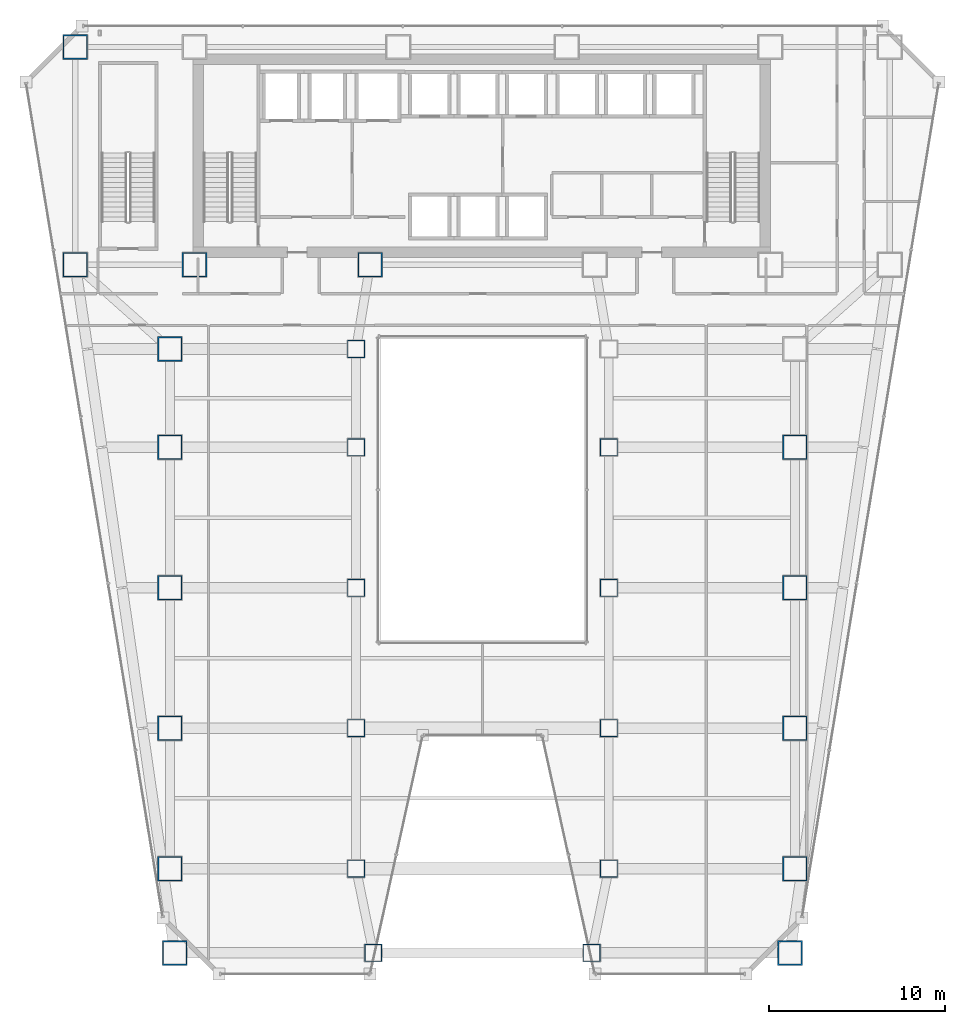
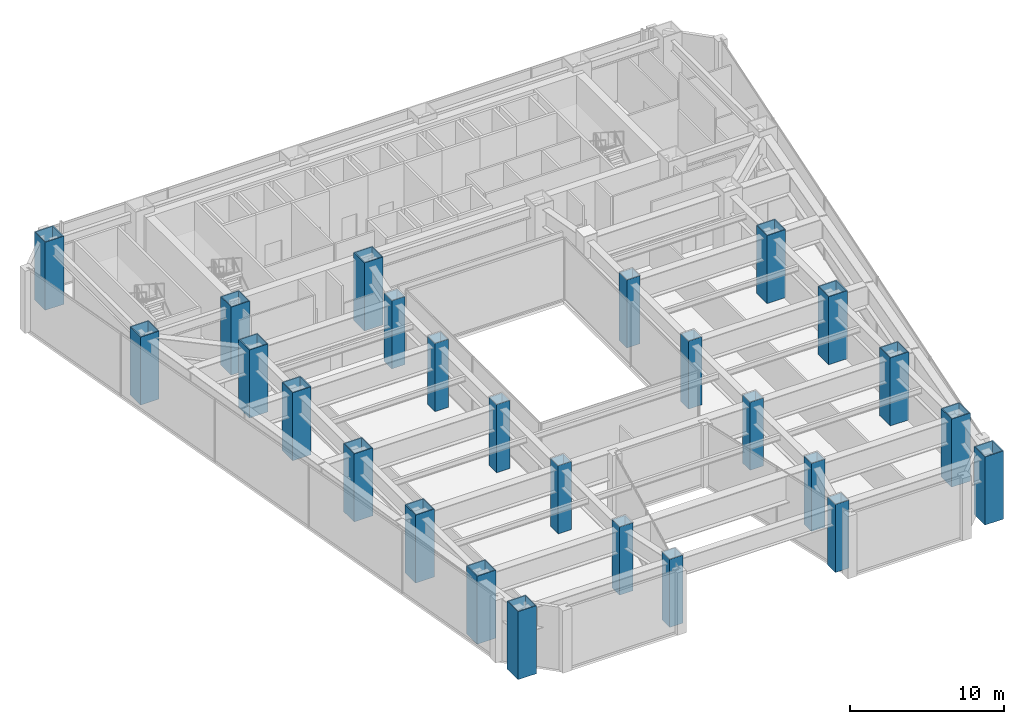
# One storey, part 1 of 42: 26 columns.
"""IFC4 building model written with IfcOpenShell, lengths in metres."""

from ifc_helpers import new_model, si_unit, direction, frame, origin, origin_2d, place, context, subcontext, project, spatial, hollow_rectangle, extrude, material, material_profile, profile_set, type_object, element, save


model = new_model("IFC4")

# Units and contexts
model_context = context("Model", 3, precision=1e-05, world=origin(), true_north=direction((0.0, 1.0)))
body_context = subcontext(model_context, "Body", "Model", "MODEL_VIEW")
ifc_project = project(units=[si_unit("LENGTHUNIT", "METRE"), si_unit("AREAUNIT", "SQUARE_METRE"), si_unit("VOLUMEUNIT", "CUBIC_METRE"), si_unit("PLANEANGLEUNIT", "RADIAN"), si_unit("MASSUNIT", "GRAM", prefix="KILO")], contexts=[model_context])

# Site, building, storey
site_placement = place(None, origin())
site = spatial("IfcSite", under=ifc_project, at=site_placement, CompositionType="ELEMENT")
building_placement = place(site_placement, origin())
building = spatial("IfcBuilding", under=site, at=building_placement, Name="Saevonmaru Cultural Tower", CompositionType="ELEMENT")
storey_placement = place(building_placement, frame((0.0, 0.0, 33.0)))
storey = spatial("IfcBuildingStorey", under=building, at=storey_placement, Name="L06", CompositionType="ELEMENT", Elevation=33.0)

# Columns
ifc_material_1 = material(Name="Steel SM420", Category="steel")
ifc_material_profile_1 = material_profile(ifc_material_1, hollow_rectangle(XDim=1.0, YDim=1.0, WallThickness=0.044921875, at=origin_2d()), Name="BOX-1000x1000x45")
ifc_profile_set_1 = profile_set([ifc_material_profile_1], Name="Steel SM420")
column_type_1 = type_object("IfcColumnType", Name="COL-BOX-1000", PredefinedType="COLUMN", material=ifc_profile_set_1)
for number, where, z_axis, x_axis, name in (
    (1, (23.780029296875, 3.199951171875, 0.0), (0.0, 0.0, 1.0), (1.0, 0.0, 0.0), "L06 Column PC-W2-A"),
    (2, (36.219970703125, 3.199951171875, 0.0), (0.0, 0.0, 1.0), (1.0, 0.0, 0.0), "L06 Column PC-E2-A"),
    (3, (22.800048828125, 8.0, 0.0), (0.0, 0.0, 1.0), (1.0, 0.0, 0.0), "L06 Column PC-W2-B"),
    (4, (37.199951171875, 8.0, 0.0), (0.0, 0.0, 1.0), (1.0, 0.0, 0.0), "L06 Column PC-E2-B"),
    (5, (22.800048828125, 16.0, 0.0), (0.0, 0.0, 1.0), (1.0, 0.0, 0.0), "L06 Column PC-W2-C"),
    (6, (37.199951171875, 16.0, 0.0), (0.0, 0.0, 1.0), (1.0, 0.0, 0.0), "L06 Column PC-E2-C"),
    (7, (22.800048828125, 24.0, 0.0), (0.0, 0.0, 1.0), (1.0, 0.0, 0.0), "L06 Column PC-W2-D"),
    (8, (37.199951171875, 24.0, 0.0), (0.0, 0.0, 1.0), (1.0, 0.0, 0.0), "L06 Column PC-E2-D"),
    (9, (22.800048828125, 32.0, 0.0), (0.0, 0.0, 1.0), (1.0, 0.0, 0.0), "L06 Column PC-W2-E"),
    (10, (37.199951171875, 32.0, 0.0), (0.0, 0.0, 1.0), (1.0, 0.0, 0.0), "L06 Column PC-E2-E"),
    (11, (22.800048828125, 37.60009765625, 0.0), (0.0, 0.0, 1.0), (1.0, 0.0, 0.0), "L06 Column PC-W2-F"),
):
    element("IfcColumn", number, at=place(storey_placement, frame(where, z_axis=z_axis, x_axis=x_axis)), inside=storey, type_object=column_type_1, Name=name, PredefinedType="COLUMN", context=body_context, shape_type="SweptSolid", body=[
        extrude(hollow_rectangle(XDim=1.0, YDim=1.0, WallThickness=0.044921875, at=origin_2d()), origin(), (0.0, 0.0, 1.0), 5.39990234375),
    ])
ifc_material_2 = material(Name="Steel HSA600 (600 MPa)", Category="steel")
ifc_material_profile_2 = material_profile(ifc_material_2, hollow_rectangle(XDim=1.39990234375, YDim=1.39990234375, WallThickness=0.06494140625, at=origin_2d()), Name="BOX-1400x1400x65")
ifc_profile_set_2 = profile_set([ifc_material_profile_2], Name="Steel HSA600 (600 MPa)")
column_type_2 = type_object("IfcColumnType", Name="COL-BOX-1400", PredefinedType="COLUMN", material=ifc_profile_set_2)
for number, where, z_axis, x_axis, name in (
    (12, (6.800048828125, 54.800048828125, 0.0), (0.0, 0.0, 1.0), (1.0, 0.0, 0.0), "L06 Column TC-N1N"),
    (13, (6.800048828125, 42.39990234375, 0.0), (0.0, 0.0, 1.0), (1.0, 0.0, 0.0), "L06 Column TC-S1C"),
    (14, (13.60009765625, 42.39990234375, 0.0), (0.0, 0.0, 1.0), (1.0, 0.0, 0.0), "L06 Column TC-S2C"),
    (15, (23.60009765625, 42.39990234375, 0.0), (0.0, 0.0, 1.0), (1.0, 0.0, 0.0), "L06 Column TC-S3C"),
    (16, (12.47998046875, 3.199951171875, 0.0), (0.0, 0.0, 1.0), (1.0, 0.0, 0.0), "L06 Column PC-W1-A"),
    (17, (47.52001953125, 3.199951171875, 0.0), (0.0, 0.0, 1.0), (1.0, 0.0, 0.0), "L06 Column PC-E1-A"),
    (18, (12.199951171875, 8.0, 0.0), (0.0, 0.0, 1.0), (1.0, 0.0, 0.0), "L06 Column PC-W1-B"),
    (19, (47.800048828125, 8.0, 0.0), (0.0, 0.0, 1.0), (1.0, 0.0, 0.0), "L06 Column PC-E1-B"),
    (20, (12.199951171875, 16.0, 0.0), (0.0, 0.0, 1.0), (1.0, 0.0, 0.0), "L06 Column PC-W1-C"),
    (21, (47.800048828125, 16.0, 0.0), (0.0, 0.0, 1.0), (1.0, 0.0, 0.0), "L06 Column PC-E1-C"),
    (22, (12.199951171875, 24.0, 0.0), (0.0, 0.0, 1.0), (1.0, 0.0, 0.0), "L06 Column PC-W1-D"),
    (23, (47.800048828125, 24.0, 0.0), (0.0, 0.0, 1.0), (1.0, 0.0, 0.0), "L06 Column PC-E1-D"),
    (24, (12.199951171875, 32.0, 0.0), (0.0, 0.0, 1.0), (1.0, 0.0, 0.0), "L06 Column PC-W1-E"),
    (25, (47.800048828125, 32.0, 0.0), (0.0, 0.0, 1.0), (1.0, 0.0, 0.0), "L06 Column PC-E1-E"),
    (26, (12.199951171875, 37.60009765625, 0.0), (0.0, 0.0, 1.0), (1.0, 0.0, 0.0), "L06 Column PC-W1-F"),
):
    element("IfcColumn", number, at=place(storey_placement, frame(where, z_axis=z_axis, x_axis=x_axis)), inside=storey, type_object=column_type_2, Name=name, PredefinedType="COLUMN", context=body_context, shape_type="SweptSolid", body=[
        extrude(hollow_rectangle(XDim=1.39990234375, YDim=1.39990234375, WallThickness=0.06494140625, at=origin_2d()), origin(), (0.0, 0.0, 1.0), 5.39990234375),
    ])

save(model, "model.ifc")
